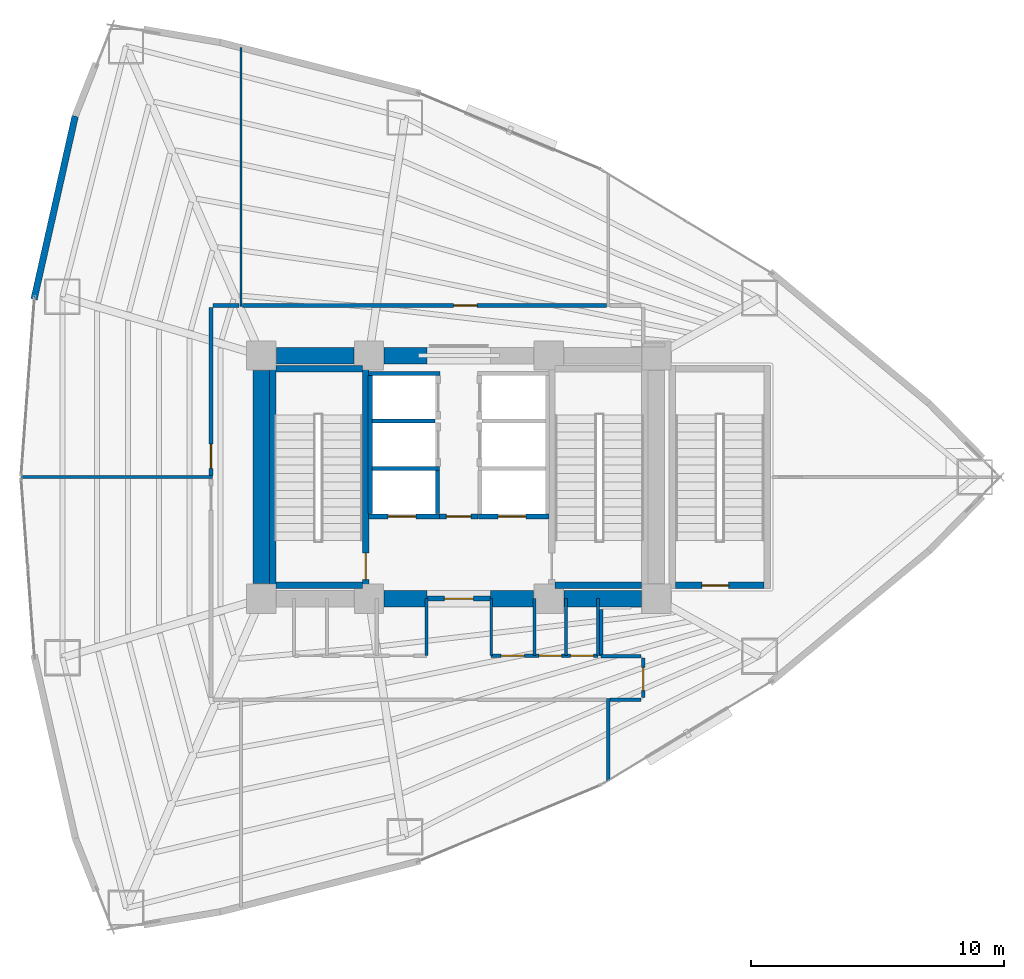
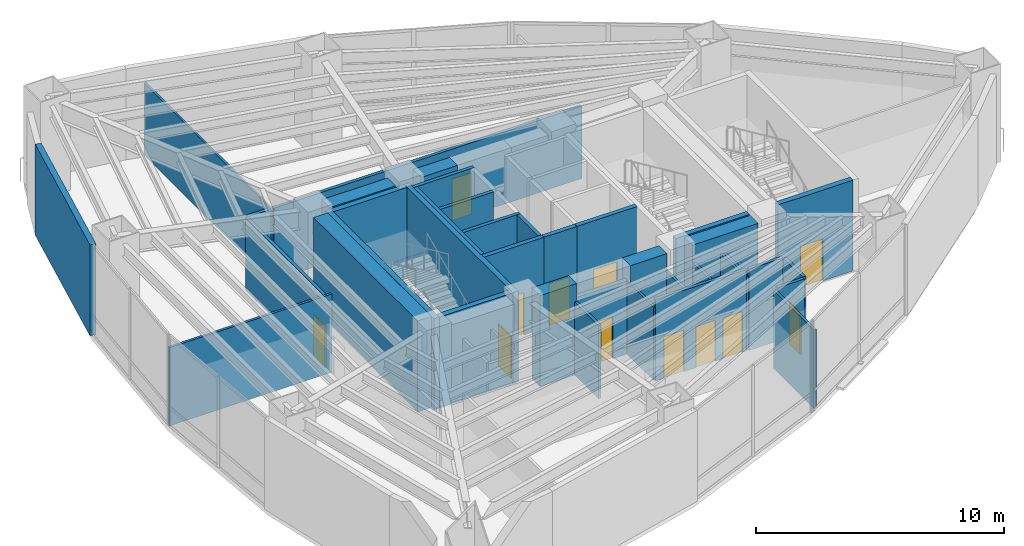
# One storey, part 14 of 18: 38 walls, 12 doors, 12 openings.
"""IFC4 building model written with IfcOpenShell, lengths in metres."""

from ifc_helpers import new_model, si_unit, direction, frame, frame_2d, origin, place, context, subcontext, project, spatial, rectangle, extrude, material, layer, layer_set, type_object, element, fill, save


model = new_model("IFC4")

# Units and contexts
model_context = context("Model", 3, precision=1e-05, world=origin(), true_north=direction((0.0, 1.0)))
body_context = subcontext(model_context, "Body", "Model", "MODEL_VIEW")
ifc_project = project(units=[si_unit("LENGTHUNIT", "METRE"), si_unit("AREAUNIT", "SQUARE_METRE"), si_unit("VOLUMEUNIT", "CUBIC_METRE"), si_unit("PLANEANGLEUNIT", "RADIAN"), si_unit("MASSUNIT", "GRAM", prefix="KILO")], contexts=[model_context])

# Site, building, storey
site_placement = place(None, origin())
site = spatial("IfcSite", under=ifc_project, at=site_placement, CompositionType="ELEMENT")
building_placement = place(site_placement, origin())
building = spatial("IfcBuilding", under=site, at=building_placement, Name="Menara Vayukalpa", CompositionType="ELEMENT")
storey_placement = place(building_placement, frame((0.0, 0.0, 7.199951171875)))
storey = spatial("IfcBuildingStorey", under=building, at=storey_placement, Name="L01", CompositionType="ELEMENT", Elevation=7.199951171875)

# Walls
ifc_material_1 = material(Name="Concrete C80/95", Category="concrete")
ifc_layer_1 = layer(ifc_material_1, 0.64990234375)
ifc_layer_set_1 = layer_set([ifc_layer_1], Name="Concrete C80/95")
wall_type_1 = type_object("IfcWallType", Name="WAL-CW650", PredefinedType="SHEAR", material=ifc_layer_set_1)
wall_1_placement = place(storey_placement, frame((22.64501953125, 17.199951171875, 0.0), z_axis=(0.0, 0.0, 1.0), x_axis=(1.0, 0.0, 0.0)))
element("IfcWall", 1, at=wall_1_placement, inside=storey, type_object=wall_type_1, Name="L01 Buttressed Core Shear Wall CWS2", PredefinedType="SHEAR", context=body_context, shape_type="SweptSolid", body=[
    extrude(rectangle(XDim=1.705078125, YDim=0.64990234375, at=frame_2d((0.8525390625, 0.0))), origin(), (0.0, 0.0, 1.0), 4.47998046875),
])
wall_2_placement = place(storey_placement, frame((26.85009765625, 17.199951171875, 0.0), z_axis=(0.0, 0.0, 1.0), x_axis=(1.0, 0.0, 0.0)))
element("IfcWall", 2, at=wall_2_placement, inside=storey, type_object=wall_type_1, Name="L01 Buttressed Core Shear Wall CWS3", PredefinedType="SHEAR", context=body_context, shape_type="SweptSolid", body=[
    extrude(rectangle(XDim=1.704833984375, YDim=0.64990234375, at=frame_2d((0.8525390625, 0.0))), origin(), (0.0, 0.0, 1.0), 4.47998046875),
])
wall_3_placement = place(storey_placement, frame((29.7451171875, 17.199951171875, 0.0), z_axis=(0.0, 0.0, 1.0), x_axis=(1.0, 0.0, 0.0)))
element("IfcWall", 3, at=wall_3_placement, inside=storey, type_object=wall_type_1, Name="L01 Buttressed Core Shear Wall CWS4", PredefinedType="SHEAR", context=body_context, shape_type="SweptSolid", body=[
    extrude(rectangle(XDim=3.059814453125, YDim=0.64990234375, at=frame_2d((1.52978515625, 0.0))), origin(), (0.0, 0.0, 1.0), 4.47998046875),
])
wall_4_placement = place(storey_placement, frame((18.39501953125, 26.800048828125, 0.0), z_axis=(0.0, 0.0, 1.0), x_axis=(1.0, 0.0, 0.0)))
element("IfcWall", 4, at=wall_4_placement, inside=storey, type_object=wall_type_1, Name="L01 Buttressed Core Shear Wall CWN1", PredefinedType="SHEAR", context=body_context, shape_type="SweptSolid", body=[
    extrude(rectangle(XDim=3.06005859375, YDim=0.64990234375, at=frame_2d((1.530029296875, 0.0))), origin(), (0.0, 0.0, 1.0), 4.47998046875),
])
wall_5_placement = place(storey_placement, frame((22.64501953125, 26.800048828125, 0.0), z_axis=(0.0, 0.0, 1.0), x_axis=(1.0, 0.0, 0.0)))
element("IfcWall", 5, at=wall_5_placement, inside=storey, type_object=wall_type_1, Name="L01 Buttressed Core Shear Wall CWN2", PredefinedType="SHEAR", context=body_context, shape_type="SweptSolid", body=[
    extrude(rectangle(XDim=1.705078125, YDim=0.64990234375, at=frame_2d((0.8525390625, 0.0))), origin(), (0.0, 0.0, 1.0), 4.47998046875),
])
wall_6_placement = place(storey_placement, frame((17.800048828125, 17.794921875, 0.0), z_axis=(0.0, 0.0, 1.0), x_axis=(0.0, 1.0, 0.0)))
element("IfcWall", 6, at=wall_6_placement, inside=storey, type_object=wall_type_1, Name="L01 Buttressed Core Shear Wall CWW1", PredefinedType="SHEAR", context=body_context, shape_type="SweptSolid", body=[
    extrude(rectangle(XDim=8.41015625, YDim=0.64990234375, at=frame_2d((4.205078125, 0.0))), origin(), (0.0, 0.0, 1.0), 4.47998046875),
])
ifc_material_2 = material(Name="Insulated Precast Concrete C40/50", Category="concrete")
ifc_layer_2 = layer(ifc_material_2, 0.260009765625)
ifc_layer_set_2 = layer_set([ifc_layer_2], Name="Insulated Precast Concrete C40/50")
wall_type_2 = type_object("IfcWallType", Name="WAL-EXT260", PredefinedType="PARTITIONING", material=ifc_layer_set_2)
wall_7_placement = place(storey_placement, frame((8.827880859375, 29.021484375, 0.0), z_axis=(0.0, 0.0, 1.0), x_axis=(0.219512195122, 0.975609756098, 0.0)))
element("IfcWall", 7, at=wall_7_placement, inside=storey, type_object=wall_type_2, Name="L01 Perimeter Terracotta Pier Wall 09", PredefinedType="PARTITIONING", context=body_context, shape_type="SweptSolid", body=[
    extrude(rectangle(XDim=7.417236328125, YDim=0.260009765625, at=frame_2d((3.70849609375, 0.0))), origin(), (0.0, 0.0, 1.0), 4.47998046875),
])
ifc_material_3 = material(Name="Lightweight Concrete Blockwork C16/20", Category="masonry")
ifc_layer_3 = layer(ifc_material_3, 0.159912109375)
ifc_layer_set_3 = layer_set([ifc_layer_3], Name="Lightweight Concrete Blockwork C16/20")
wall_type_3 = type_object("IfcWallType", Name="WAL-FR150", PredefinedType="PARTITIONING", material=ifc_layer_set_3)
wall_8_placement = place(storey_placement, frame((22.10498046875, 20.56005859375, 0.0), z_axis=(0.0, 0.0, 1.0), x_axis=(0.0, 1.0, 0.0)))
element("IfcWall", 8, at=wall_8_placement, inside=storey, type_object=wall_type_3, Name="L01 Interior Partition IW-L01-SHW-WW", PredefinedType="PARTITIONING", context=body_context, shape_type="SweptSolid", body=[
    extrude(rectangle(XDim=5.449951171875, YDim=0.159912109375, at=frame_2d((2.72509765625, 0.0))), origin(), (0.0, 0.0, 1.0), 4.47998046875),
])
wall_9_placement = place(storey_placement, frame((24.7548828125, 20.56005859375, 0.0), z_axis=(0.0, 0.0, 1.0), x_axis=(0.0, 1.0, 0.0)))
element("IfcWall", 9, at=wall_9_placement, inside=storey, type_object=wall_type_3, Name="L01 Interior Partition IW-L01-SHW-W1E", PredefinedType="PARTITIONING", context=body_context, shape_type="SweptSolid", body=[
    extrude(rectangle(XDim=1.7099609375, YDim=0.159912109375, at=frame_2d((0.85498046875, 0.0))), origin(), (0.0, 0.0, 1.0), 4.47998046875),
])
wall_10_placement = place(storey_placement, frame((22.179931640625, 22.344970703125, 0.0), z_axis=(0.0, 0.0, 1.0), x_axis=(1.0, 0.0, 0.0)))
element("IfcWall", 10, at=wall_10_placement, inside=storey, type_object=wall_type_3, Name="L01 Interior Partition IW-L01-SHM-W12", PredefinedType="PARTITIONING", context=body_context, shape_type="SweptSolid", body=[
    extrude(rectangle(XDim=2.650146484375, YDim=0.159912109375, at=frame_2d((1.3251953125, 0.0))), origin(), (0.0, 0.0, 1.0), 4.47998046875),
])
wall_11_placement = place(storey_placement, frame((22.179931640625, 24.215087890625, 0.0), z_axis=(0.0, 0.0, 1.0), x_axis=(1.0, 0.0, 0.0)))
element("IfcWall", 11, at=wall_11_placement, inside=storey, type_object=wall_type_3, Name="L01 Interior Partition IW-L01-SHM-W23", PredefinedType="PARTITIONING", context=body_context, shape_type="SweptSolid", body=[
    extrude(rectangle(XDim=2.489990234375, YDim=0.159912109375, at=frame_2d((1.2451171875, 0.0))), origin(), (0.0, 0.0, 1.0), 4.47998046875),
])
wall_12_placement = place(storey_placement, frame((22.030029296875, 26.0849609375, 0.0), z_axis=(0.0, 0.0, 1.0), x_axis=(1.0, 0.0, 0.0)))
element("IfcWall", 12, at=wall_12_placement, inside=storey, type_object=wall_type_3, Name="L01 Interior Partition IW-L01-SHM-W3N", PredefinedType="PARTITIONING", context=body_context, shape_type="SweptSolid", body=[
    extrude(rectangle(XDim=2.830078125, YDim=0.159912109375, at=frame_2d((1.4150390625, 0.0))), origin(), (0.0, 0.0, 1.0), 4.47998046875),
])

# Wall, opening, door
ifc_material_4 = material(Name="Lightweight Concrete Blockwork C16/20", Category="masonry")
ifc_layer_4 = layer(ifc_material_4, 0.199951171875)
ifc_layer_set_4 = layer_set([ifc_layer_4], Name="Lightweight Concrete Blockwork C16/20")
wall_type_4 = type_object("IfcWallType", Name="WAL-FR200", PredefinedType="PARTITIONING", material=ifc_layer_set_4)
wall_13_placement = place(storey_placement, frame((24.35009765625, 17.199951171875, 0.0), z_axis=(0.0, 0.0, 1.0), x_axis=(1.0, 0.0, 0.0)))
wall_13 = element("IfcWall", 13, at=wall_13_placement, inside=storey, type_object=wall_type_4, Name="L01 Interior Partition IW-L01-FFLS", PredefinedType="PARTITIONING", context=body_context, shape_type="SweptSolid", body=[
    extrude(rectangle(XDim=2.5, YDim=0.199951171875, at=frame_2d((1.25, 0.0))), origin(), (0.0, 0.0, 1.0), 3.610107421875),
])
opening_1_placement = place(wall_13_placement, frame((0.679931640625, 0.0, 0.0)))
opening_1 = element("IfcOpeningElement", 14, at=opening_1_placement, cuts=wall_13, Name="Opening ID2", PredefinedType="OPENING", context=body_context, shape_type="SweptSolid", body=[
    extrude(rectangle(XDim=1.14990234375, YDim=2.080078125, at=frame_2d((0.574951171875, 1.0400390625))), frame((0.0, 0.10986328125, 0.0), z_axis=(0.0, -1.0, 0.0), x_axis=(1.0, 0.0, 0.0)), (0.0, 0.0, 1.0), 0.219970703125),
])
ifc_material_5 = material(Name="Fire-Rated Powder-Coated Steel Door", Category="steel")
door_type_1 = type_object("IfcDoorType", Name="DR-FD60W", OperationType="NOTDEFINED", PredefinedType="DOOR", material=ifc_material_5)
door_1_placement = place(opening_1_placement, origin())
door_1 = element("IfcDoor", 15, at=door_1_placement, inside=storey, type_object=door_type_1, Name="L01 Interior Door DR-L01-FFLS", OperationType="SINGLE_SWING_RIGHT", OverallHeight=2.080078125, OverallWidth=1.14990234375, PredefinedType="DOOR", context=body_context, shape_type="SweptSolid", body=[
    extrude(rectangle(XDim=1.14990234375, YDim=2.080078125, at=frame_2d((0.574951171875, 1.0400390625))), frame((0.0, 0.02490234375, 0.0), z_axis=(0.0, -1.0, 0.0), x_axis=(1.0, 0.0, 0.0)), (0.0, 0.0, 1.0), 0.050048828125),
])
fill(opening_1, door_1)

wall_14_placement = place(storey_placement, frame((24.840087890625, 20.449951171875, 0.0), z_axis=(0.0, 0.0, 1.0), x_axis=(1.0, 0.0, 0.0)))
wall_14 = element("IfcWall", 16, at=wall_14_placement, inside=storey, type_object=wall_type_4, Name="L01 Interior Partition IW-L01-FFLN", PredefinedType="PARTITIONING", context=body_context, shape_type="SweptSolid", body=[
    extrude(rectangle(XDim=1.52001953125, YDim=0.199951171875, at=frame_2d((0.760009765625, 0.0))), origin(), (0.0, 0.0, 1.0), 4.47998046875),
])
opening_2_placement = place(wall_14_placement, frame((0.27001953125, 0.0, 0.0)))
opening_2 = element("IfcOpeningElement", 17, at=opening_2_placement, cuts=wall_14, Name="Opening ID3", PredefinedType="OPENING", context=body_context, shape_type="SweptSolid", body=[
    extrude(rectangle(XDim=0.97998046875, YDim=2.06005859375, at=frame_2d((0.489990234375, 1.030029296875))), frame((0.0, 0.10986328125, 0.0), z_axis=(0.0, -1.0, 0.0), x_axis=(1.0, 0.0, 0.0)), (0.0, 0.0, 1.0), 0.219970703125),
])
ifc_material_6 = material(Name="Fire-Rated Powder-Coated Steel Door", Category="steel")
door_type_2 = type_object("IfcDoorType", Name="DR-FD60", OperationType="NOTDEFINED", PredefinedType="DOOR", material=ifc_material_6)
door_2_placement = place(opening_2_placement, origin())
door_2 = element("IfcDoor", 18, at=door_2_placement, inside=storey, type_object=door_type_2, Name="L01 Interior Door DR-L01-FFLN", OperationType="SINGLE_SWING_LEFT", OverallHeight=2.06005859375, OverallWidth=0.97998046875, PredefinedType="DOOR", context=body_context, shape_type="SweptSolid", body=[
    extrude(rectangle(XDim=0.97998046875, YDim=2.06005859375, at=frame_2d((0.489990234375, 1.030029296875))), frame((0.0, 0.02490234375, 0.0), z_axis=(0.0, -1.0, 0.0), x_axis=(1.0, 0.0, 0.0)), (0.0, 0.0, 1.0), 0.050048828125),
])
fill(opening_2, door_2)

wall_15_placement = place(storey_placement, frame((22.030029296875, 20.449951171875, 0.0), z_axis=(0.0, 0.0, 1.0), x_axis=(1.0, 0.0, 0.0)))
wall_15 = element("IfcWall", 19, at=wall_15_placement, inside=storey, type_object=wall_type_4, Name="L01 Interior Partition IW-L01-SH-W1", PredefinedType="PARTITIONING", context=body_context, shape_type="SweptSolid", body=[
    extrude(rectangle(XDim=2.800048828125, YDim=0.199951171875, at=frame_2d((1.39990234375, 0.0))), origin(), (0.0, 0.0, 1.0), 4.47998046875),
])
opening_3_placement = place(wall_15_placement, frame((0.780029296875, 0.0, 0.0)))
opening_3 = element("IfcOpeningElement", 20, at=opening_3_placement, cuts=wall_15, Name="Opening LD1", PredefinedType="OPENING", context=body_context, shape_type="SweptSolid", body=[
    extrude(rectangle(XDim=1.10009765625, YDim=2.080078125, at=frame_2d((0.550048828125, 1.0400390625))), frame((0.0, 0.10986328125, 0.0), z_axis=(0.0, -1.0, 0.0), x_axis=(1.0, 0.0, 0.0)), (0.0, 0.0, 1.0), 0.219970703125),
])
ifc_material_7 = material(Name="Brushed Stainless Steel 316 Lift Door", Category="steel")
door_type_3 = type_object("IfcDoorType", Name="DR-LD110", OperationType="NOTDEFINED", PredefinedType="DOOR", material=ifc_material_7)
door_3_placement = place(opening_3_placement, origin())
door_3 = element("IfcDoor", 21, at=door_3_placement, inside=storey, type_object=door_type_3, Name="L01 Interior Door DR-L01-LD-W1", OperationType="DOUBLE_DOOR_SLIDING", OverallHeight=2.080078125, OverallWidth=1.10009765625, PredefinedType="DOOR", context=body_context, shape_type="SweptSolid", body=[
    extrude(rectangle(XDim=1.10009765625, YDim=2.080078125, at=frame_2d((0.550048828125, 1.0400390625))), frame((0.0, 0.02490234375, 0.0), z_axis=(0.0, -1.0, 0.0), x_axis=(1.0, 0.0, 0.0)), (0.0, 0.0, 1.0), 0.050048828125),
])
fill(opening_3, door_3)

wall_16_placement = place(storey_placement, frame((26.3701171875, 20.449951171875, 0.0), z_axis=(0.0, 0.0, 1.0), x_axis=(1.0, 0.0, 0.0)))
wall_16 = element("IfcWall", 22, at=wall_16_placement, inside=storey, type_object=wall_type_4, Name="L01 Interior Partition IW-L01-SH-E1", PredefinedType="PARTITIONING", context=body_context, shape_type="SweptSolid", body=[
    extrude(rectangle(XDim=2.7998046875, YDim=0.199951171875, at=frame_2d((1.39990234375, 0.0))), origin(), (0.0, 0.0, 1.0), 4.47998046875),
])
opening_4_placement = place(wall_16_placement, frame((0.780029296875, 0.0, 0.0)))
opening_4 = element("IfcOpeningElement", 23, at=opening_4_placement, cuts=wall_16, Name="Opening LD1", PredefinedType="OPENING", context=body_context, shape_type="SweptSolid", body=[
    extrude(rectangle(XDim=1.10009765625, YDim=2.080078125, at=frame_2d((0.550048828125, 1.0400390625))), frame((0.0, 0.10986328125, 0.0), z_axis=(0.0, -1.0, 0.0), x_axis=(1.0, 0.0, 0.0)), (0.0, 0.0, 1.0), 0.219970703125),
])
door_4_placement = place(opening_4_placement, origin())
door_4 = element("IfcDoor", 24, at=door_4_placement, inside=storey, type_object=door_type_3, Name="L01 Interior Door DR-L01-LD-E1", OperationType="DOUBLE_DOOR_SLIDING", OverallHeight=2.080078125, OverallWidth=1.10009765625, PredefinedType="DOOR", context=body_context, shape_type="SweptSolid", body=[
    extrude(rectangle(XDim=1.10009765625, YDim=2.080078125, at=frame_2d((0.550048828125, 1.0400390625))), frame((0.0, 0.02490234375, 0.0), z_axis=(0.0, -1.0, 0.0), x_axis=(1.0, 0.0, 0.0)), (0.0, 0.0, 1.0), 0.050048828125),
])
fill(opening_4, door_4)

# Walls
ifc_material_8 = material(Name="Glazed Demountable Office Partition", Category="glass")
ifc_layer_5 = layer(ifc_material_8, 0.094970703125)
ifc_layer_set_5 = layer_set([ifc_layer_5], Name="Glazed Demountable Office Partition")
wall_type_5 = type_object("IfcWallType", Name="WAL-PT100", PredefinedType="PARTITIONING", material=ifc_layer_set_5)
wall_17_placement = place(storey_placement, frame((17.0, 28.72998046875, 0.0), z_axis=(0.0, 0.0, 1.0), x_axis=(0.0, 1.0, 0.0)))
element("IfcWall", 25, at=wall_17_placement, inside=storey, type_object=wall_type_5, Name="L01 Interior Partition IW-L01-RDIV02", PredefinedType="PARTITIONING", context=body_context, shape_type="SweptSolid", body=[
    extrude(rectangle(XDim=10.2392578125, YDim=0.094970703125, at=frame_2d((5.11962890625, 0.0))), origin(), (0.0, 0.0, 1.0), 3.56005859375),
])
ifc_material_9 = material(Name="Acoustic Mineral Stud Partition", Category="masonry")
ifc_layer_6 = layer(ifc_material_9, 0.110107421875)
ifc_layer_set_6 = layer_set([ifc_layer_6], Name="Acoustic Mineral Stud Partition")
wall_type_6 = type_object("IfcWallType", Name="WAL-PT110", PredefinedType="PARTITIONING", material=ifc_layer_set_6)
for number, where, z_axis, x_axis, name in (
    (26, (26.8798828125, 14.949951171875, 0.0), (0.0, 0.0, 1.0), (0.0, 1.0, 0.0), "L01 Interior Partition IW-L01-SVCD-05"),
    (27, (31.10009765625, 14.949951171875, 0.0), (0.0, 0.0, 1.0), (0.0, 1.0, 0.0), "L01 Interior Partition IW-L01-SVCD-08"),
):
    element("IfcWall", number, at=place(storey_placement, frame(where, z_axis=z_axis, x_axis=x_axis)), inside=storey, type_object=wall_type_6, Name=name, PredefinedType="PARTITIONING", context=body_context, shape_type="SweptSolid", body=[
        extrude(rectangle(XDim=2.25, YDim=0.110107421875, at=frame_2d((1.125, 0.0))), origin(), (0.0, 0.0, 1.0), 3.610107421875),
    ])
wall_18_placement = place(storey_placement, frame((8.307373046875, 22.0, 0.0), z_axis=(0.0, 0.0, 1.0), x_axis=(1.0, 0.0, 0.0)))
element("IfcWall", 28, at=wall_18_placement, inside=storey, type_object=wall_type_6, Name="L01 Interior Partition IW-L01-RDIV05", PredefinedType="PARTITIONING", context=body_context, shape_type="SweptSolid", body=[
    extrude(rectangle(XDim=7.562744140625, YDim=0.110107421875, at=frame_2d((3.78125, 0.0))), origin(), (0.0, 0.0, 1.0), 3.860107421875),
])
ifc_material_10 = material(Name="Gypsum Drywall Steel Stud Assembly", Category="steel")
ifc_layer_7 = layer(ifc_material_10, 0.125)
ifc_layer_set_7 = layer_set([ifc_layer_7], Name="Gypsum Drywall Steel Stud Assembly")
wall_type_7 = type_object("IfcWallType", Name="WAL-PT125", PredefinedType="PARTITIONING", material=ifc_layer_set_7)
for number, where, z_axis, x_axis, name in (
    (29, (24.320068359375, 14.949951171875, 0.0), (0.0, 0.0, 1.0), (0.0, 1.0, 0.0), "L01 Interior Partition IW-L01-SVCD-04"),
    (30, (28.590087890625, 14.949951171875, 0.0), (0.0, 0.0, 1.0), (0.0, 1.0, 0.0), "L01 Interior Partition IW-L01-SVCD-06"),
    (31, (29.830078125, 14.949951171875, 0.0), (0.0, 0.0, 1.0), (0.0, 1.0, 0.0), "L01 Interior Partition IW-L01-SVCD-07"),
):
    element("IfcWall", number, at=place(storey_placement, frame(where, z_axis=z_axis, x_axis=x_axis)), inside=storey, type_object=wall_type_7, Name=name, PredefinedType="PARTITIONING", context=body_context, shape_type="SweptSolid", body=[
        extrude(rectangle(XDim=2.25, YDim=0.125, at=frame_2d((1.125, 0.0))), origin(), (0.0, 0.0, 1.0), 3.610107421875),
    ])
wall_19_placement = place(storey_placement, frame((31.5, 10.0048828125, 0.0), z_axis=(0.0, 0.0, 1.0), x_axis=(0.0, 1.0, 0.0)))
element("IfcWall", 32, at=wall_19_placement, inside=storey, type_object=wall_type_7, Name="L01 Interior Partition IW-L01-RDIV03", PredefinedType="PARTITIONING", context=body_context, shape_type="SweptSolid", body=[
    extrude(rectangle(XDim=3.255126953125, YDim=0.125, at=frame_2d((1.62744140625, 0.0))), origin(), (0.0, 0.0, 1.0), 3.860107421875),
])

# Wall, openings, doors
ifc_material_11 = material(Name="Gypsum Drywall Acoustic Stud Assembly", Category="masonry")
ifc_layer_8 = layer(ifc_material_11, 0.14501953125)
ifc_layer_set_8 = layer_set([ifc_layer_8], Name="Gypsum Drywall Acoustic Stud Assembly")
wall_type_8 = type_object("IfcWallType", Name="WAL-PT150", PredefinedType="PARTITIONING", material=ifc_layer_set_8)
wall_20_placement = place(storey_placement, frame((26.8798828125, 14.949951171875, 0.0), z_axis=(0.0, 0.0, 1.0), x_axis=(1.0, 0.0, 0.0)))
wall_20 = element("IfcWall", 33, at=wall_20_placement, inside=storey, type_object=wall_type_8, Name="L01 Interior Partition IW-L01-SVCS-E", PredefinedType="PARTITIONING", context=body_context, shape_type="SweptSolid", body=[
    extrude(rectangle(XDim=4.22021484375, YDim=0.14501953125, at=frame_2d((2.110107421875, 0.0))), origin(), (0.0, 0.0, 1.0), 4.010009765625),
])
opening_5_placement = place(wall_20_placement, frame((0.389892578125, 0.0, 0.0)))
opening_5 = element("IfcOpeningElement", 34, at=opening_5_placement, cuts=wall_20, Name="Opening ID6", PredefinedType="OPENING", context=body_context, shape_type="SweptSolid", body=[
    extrude(rectangle(XDim=0.919921875, YDim=2.050048828125, at=frame_2d((0.4599609375, 1.02490234375))), frame((0.0, 0.08251953125, 0.0), z_axis=(0.0, -1.0, 0.0), x_axis=(1.0, 0.0, 0.0)), (0.0, 0.0, 1.0), 0.1650390625),
])
opening_6_placement = place(wall_20_placement, frame((1.8798828125, 0.0, 0.0)))
opening_6 = element("IfcOpeningElement", 35, at=opening_6_placement, cuts=wall_20, Name="Opening ID7", PredefinedType="OPENING", context=body_context, shape_type="SweptSolid", body=[
    extrude(rectangle(XDim=0.89990234375, YDim=2.02001953125, at=frame_2d((0.449951171875, 1.010009765625))), frame((0.0, 0.08251953125, 0.0), z_axis=(0.0, -1.0, 0.0), x_axis=(1.0, 0.0, 0.0)), (0.0, 0.0, 1.0), 0.1650390625),
])
opening_7_placement = place(wall_20_placement, frame((3.139892578125, 0.0, 0.0)))
opening_7 = element("IfcOpeningElement", 36, at=opening_7_placement, cuts=wall_20, Name="Opening ID7", PredefinedType="OPENING", context=body_context, shape_type="SweptSolid", body=[
    extrude(rectangle(XDim=0.89990234375, YDim=2.02001953125, at=frame_2d((0.449951171875, 1.010009765625))), frame((0.0, 0.08251953125, 0.0), z_axis=(0.0, -1.0, 0.0), x_axis=(1.0, 0.0, 0.0)), (0.0, 0.0, 1.0), 0.1650390625),
])
ifc_material_12 = material(Name="Acoustic Hardwood Veneer Timber Door", Category="wood")
door_type_4 = type_object("IfcDoorType", Name="DR-INT92", OperationType="NOTDEFINED", PredefinedType="DOOR", material=ifc_material_12)
door_5_placement = place(opening_5_placement, origin())
door_5 = element("IfcDoor", 37, at=door_5_placement, inside=storey, type_object=door_type_4, Name="L01 Interior Door DR-L01-KSV1", OperationType="SINGLE_SWING_LEFT", OverallHeight=2.050048828125, OverallWidth=0.919921875, PredefinedType="DOOR", context=body_context, shape_type="SweptSolid", body=[
    extrude(rectangle(XDim=0.919921875, YDim=2.050048828125, at=frame_2d((0.4599609375, 1.02490234375))), frame((0.0, 0.02490234375, 0.0), z_axis=(0.0, -1.0, 0.0), x_axis=(1.0, 0.0, 0.0)), (0.0, 0.0, 1.0), 0.050048828125),
])
fill(opening_5, door_5)
ifc_material_13 = material(Name="Powder-Coated Steel Riser Access Door", Category="steel")
door_type_5 = type_object("IfcDoorType", Name="DR-RISER", OperationType="NOTDEFINED", PredefinedType="DOOR", material=ifc_material_13)
door_6_placement = place(opening_6_placement, origin())
door_6 = element("IfcDoor", 38, at=door_6_placement, inside=storey, type_object=door_type_5, Name="L01 Interior Door DR-L01-KSV2", OperationType="SINGLE_SWING_RIGHT", OverallHeight=2.02001953125, OverallWidth=0.89990234375, PredefinedType="DOOR", context=body_context, shape_type="SweptSolid", body=[
    extrude(rectangle(XDim=0.89990234375, YDim=2.02001953125, at=frame_2d((0.449951171875, 1.010009765625))), frame((0.0, 0.02490234375, 0.0), z_axis=(0.0, -1.0, 0.0), x_axis=(1.0, 0.0, 0.0)), (0.0, 0.0, 1.0), 0.050048828125),
])
fill(opening_6, door_6)
door_7_placement = place(opening_7_placement, origin())
door_7 = element("IfcDoor", 39, at=door_7_placement, inside=storey, type_object=door_type_5, Name="L01 Interior Door DR-L01-SMD", OperationType="SINGLE_SWING_LEFT", OverallHeight=2.02001953125, OverallWidth=0.89990234375, PredefinedType="DOOR", context=body_context, shape_type="SweptSolid", body=[
    extrude(rectangle(XDim=0.89990234375, YDim=2.02001953125, at=frame_2d((0.449951171875, 1.010009765625))), frame((0.0, 0.02490234375, 0.0), z_axis=(0.0, -1.0, 0.0), x_axis=(1.0, 0.0, 0.0)), (0.0, 0.0, 1.0), 0.050048828125),
])
fill(opening_7, door_7)

# Wall
wall_21_placement = place(storey_placement, frame((31.570068359375, 13.2099609375, 0.0), z_axis=(0.0, 0.0, 1.0), x_axis=(1.0, 0.0, 0.0)))
element("IfcWall", 40, at=wall_21_placement, inside=storey, type_object=wall_type_8, Name="L01 Interior Partition IW-L01-CRM04-1", PredefinedType="PARTITIONING", context=body_context, shape_type="SweptSolid", body=[
    extrude(rectangle(XDim=1.22998046875, YDim=0.14501953125, at=frame_2d((0.614990234375, 0.0))), origin(), (0.0, 0.0, 1.0), 4.010009765625),
])

# Wall, opening, door
wall_22_placement = place(storey_placement, frame((32.8798828125, 13.2900390625, 0.0), z_axis=(0.0, 0.0, 1.0), x_axis=(0.0, 1.0, 0.0)))
wall_22 = element("IfcWall", 41, at=wall_22_placement, inside=storey, type_object=wall_type_8, Name="L01 Interior Partition IW-L01-CRM04-2", PredefinedType="PARTITIONING", context=body_context, shape_type="SweptSolid", body=[
    extrude(rectangle(XDim=1.56005859375, YDim=0.14501953125, at=frame_2d((0.780029296875, 0.0))), origin(), (0.0, 0.0, 1.0), 4.010009765625),
])
opening_8_placement = place(wall_22_placement, frame((0.280029296875, 0.0, 0.0)))
opening_8 = element("IfcOpeningElement", 42, at=opening_8_placement, cuts=wall_22, Name="Opening ID6", PredefinedType="OPENING", context=body_context, shape_type="SweptSolid", body=[
    extrude(rectangle(XDim=0.919921875, YDim=2.050048828125, at=frame_2d((0.4599609375, 1.02490234375))), frame((0.0, 0.08251953125, 0.0), z_axis=(0.0, -1.0, 0.0), x_axis=(1.0, 0.0, 0.0)), (0.0, 0.0, 1.0), 0.1650390625),
])
door_8_placement = place(opening_8_placement, origin())
door_8 = element("IfcDoor", 43, at=door_8_placement, inside=storey, type_object=door_type_4, Name="L01 Interior Door DR-L01-RM04", OperationType="SINGLE_SWING_RIGHT", OverallHeight=2.050048828125, OverallWidth=0.919921875, PredefinedType="DOOR", context=body_context, shape_type="SweptSolid", body=[
    extrude(rectangle(XDim=0.919921875, YDim=2.050048828125, at=frame_2d((0.4599609375, 1.02490234375))), frame((0.0, 0.02490234375, 0.0), z_axis=(0.0, -1.0, 0.0), x_axis=(1.0, 0.0, 0.0)), (0.0, 0.0, 1.0), 0.050048828125),
])
fill(opening_8, door_8)

# Walls
wall_23_placement = place(storey_placement, frame((32.800048828125, 14.929931640625, 0.0), z_axis=(0.0, 0.0, 1.0), x_axis=(-1.0, 0.0, 0.0)))
element("IfcWall", 44, at=wall_23_placement, inside=storey, type_object=wall_type_8, Name="L01 Interior Partition IW-L01-CRM04-3", PredefinedType="PARTITIONING", context=body_context, shape_type="SweptSolid", body=[
    extrude(rectangle(XDim=1.580078125, YDim=0.14501953125, at=frame_2d((0.7900390625, 0.0))), origin(), (0.0, 0.0, 1.0), 4.010009765625),
])
wall_24_placement = place(storey_placement, frame((31.219970703125, 14.929931640625, 0.0), z_axis=(0.0, 0.0, 1.0), x_axis=(0.0, 1.0, 0.0)))
element("IfcWall", 45, at=wall_24_placement, inside=storey, type_object=wall_type_8, Name="L01 Interior Partition IW-L01-CRM04-4", PredefinedType="PARTITIONING", context=body_context, shape_type="SweptSolid", body=[
    extrude(rectangle(XDim=1.85009765625, YDim=0.14501953125, at=frame_2d((0.925048828125, 0.0))), origin(), (0.0, 0.0, 1.0), 3.610107421875),
])

# Wall, opening, door
wall_25_placement = place(storey_placement, frame((31.429931640625, 28.780029296875, 0.0), z_axis=(0.0, 0.0, 1.0), x_axis=(-1.0, 0.0, 0.0)))
wall_25 = element("IfcWall", 46, at=wall_25_placement, inside=storey, type_object=wall_type_8, Name="L01 Interior Partition IW-L01-CRM06-1", PredefinedType="PARTITIONING", context=body_context, shape_type="SweptSolid", body=[
    extrude(rectangle(XDim=14.35986328125, YDim=0.14501953125, at=frame_2d((7.179931640625, 0.0))), origin(), (0.0, 0.0, 1.0), 3.56005859375),
])
opening_9_placement = place(wall_25_placement, frame((5.110107421875, 0.0, 0.0)))
opening_9 = element("IfcOpeningElement", 47, at=opening_9_placement, cuts=wall_25, Name="Opening ID6", PredefinedType="OPENING", context=body_context, shape_type="SweptSolid", body=[
    extrude(rectangle(XDim=0.919921875, YDim=2.050048828125, at=frame_2d((0.4599609375, 1.02490234375))), frame((0.0, 0.08251953125, 0.0), z_axis=(0.0, -1.0, 0.0), x_axis=(1.0, 0.0, 0.0)), (0.0, 0.0, 1.0), 0.1650390625),
])
door_9_placement = place(opening_9_placement, origin())
door_9 = element("IfcDoor", 48, at=door_9_placement, inside=storey, type_object=door_type_4, Name="L01 Interior Door DR-L01-RM06", OperationType="SINGLE_SWING_LEFT", OverallHeight=2.050048828125, OverallWidth=0.919921875, PredefinedType="DOOR", context=body_context, shape_type="SweptSolid", body=[
    extrude(rectangle(XDim=0.919921875, YDim=2.050048828125, at=frame_2d((0.4599609375, 1.02490234375))), frame((0.0, 0.02490234375, 0.0), z_axis=(0.0, -1.0, 0.0), x_axis=(1.0, 0.0, 0.0)), (0.0, 0.0, 1.0), 0.050048828125),
])
fill(opening_9, door_9)

# Wall
wall_26_placement = place(storey_placement, frame((16.929931640625, 28.780029296875, 0.0), z_axis=(0.0, 0.0, 1.0), x_axis=(-1.0, 0.0, 0.0)))
element("IfcWall", 49, at=wall_26_placement, inside=storey, type_object=wall_type_8, Name="L01 Interior Partition IW-L01-CRM07-1", PredefinedType="PARTITIONING", context=body_context, shape_type="SweptSolid", body=[
    extrude(rectangle(XDim=1.030029296875, YDim=0.14501953125, at=frame_2d((0.51513671875, 0.0))), origin(), (0.0, 0.0, 1.0), 3.56005859375),
])

# Wall, opening, door
wall_27_placement = place(storey_placement, frame((15.820068359375, 28.699951171875, 0.0), z_axis=(0.0, 0.0, 1.0), x_axis=(0.0, -1.0, 0.0)))
wall_27 = element("IfcWall", 50, at=wall_27_placement, inside=storey, type_object=wall_type_8, Name="L01 Interior Partition IW-L01-CRM07-2", PredefinedType="PARTITIONING", context=body_context, shape_type="SweptSolid", body=[
    extrude(rectangle(XDim=6.6298828125, YDim=0.14501953125, at=frame_2d((3.31494140625, 0.0))), origin(), (0.0, 0.0, 1.0), 3.56005859375),
])
opening_10_placement = place(wall_27_placement, frame((5.39990234375, 0.0, 0.0)))
opening_10 = element("IfcOpeningElement", 51, at=opening_10_placement, cuts=wall_27, Name="Opening ID5", PredefinedType="OPENING", context=body_context, shape_type="SweptSolid", body=[
    extrude(rectangle(XDim=0.949951171875, YDim=2.06005859375, at=frame_2d((0.47509765625, 1.030029296875))), frame((0.0, 0.08251953125, 0.0), z_axis=(0.0, -1.0, 0.0), x_axis=(1.0, 0.0, 0.0)), (0.0, 0.0, 1.0), 0.1650390625),
])
ifc_material_14 = material(Name="Acoustic Hardwood Veneer Timber Door", Category="wood")
door_type_6 = type_object("IfcDoorType", Name="DR-INT95", OperationType="NOTDEFINED", PredefinedType="DOOR", material=ifc_material_14)
door_10_placement = place(opening_10_placement, origin())
door_10 = element("IfcDoor", 52, at=door_10_placement, inside=storey, type_object=door_type_6, Name="L01 Interior Door DR-L01-RM07", OperationType="SINGLE_SWING_RIGHT", OverallHeight=2.06005859375, OverallWidth=0.949951171875, PredefinedType="DOOR", context=body_context, shape_type="SweptSolid", body=[
    extrude(rectangle(XDim=0.949951171875, YDim=2.06005859375, at=frame_2d((0.47509765625, 1.030029296875))), frame((0.0, 0.02490234375, 0.0), z_axis=(0.0, -1.0, 0.0), x_axis=(1.0, 0.0, 0.0)), (0.0, 0.0, 1.0), 0.050048828125),
])
fill(opening_10, door_10)

# Wall
ifc_material_15 = material(Name="Concrete C50/60", Category="concrete")
ifc_layer_9 = layer(ifc_material_15, 0.25)
ifc_layer_set_9 = layer_set([ifc_layer_9], Name="Concrete C50/60")
wall_type_9 = type_object("IfcWallType", Name="WAL-SW250", PredefinedType="SHEAR", material=ifc_layer_set_9)
wall_28_placement = place(storey_placement, frame((18.25390625, 17.60009765625, 0.0), z_axis=(0.0, 0.0, 1.0), x_axis=(0.0, 1.0, 0.0)))
element("IfcWall", 53, at=wall_28_placement, inside=storey, type_object=wall_type_9, Name="L01 ST1 Structural Stair Shaft Wall W", PredefinedType="SHEAR", context=body_context, shape_type="SweptSolid", body=[
    extrude(rectangle(XDim=8.7998046875, YDim=0.25, at=frame_2d((4.39990234375, 0.0))), origin(), (0.0, 0.0, 1.0), 4.47998046875),
])

# Wall, opening, door
wall_29_placement = place(storey_placement, frame((21.925048828125, 17.60009765625, 0.0), z_axis=(0.0, 0.0, 1.0), x_axis=(0.0, 1.0, 0.0)))
wall_29 = element("IfcWall", 54, at=wall_29_placement, inside=storey, type_object=wall_type_9, Name="L01 ST1 Structural Stair Shaft Wall E", PredefinedType="SHEAR", context=body_context, shape_type="SweptSolid", body=[
    extrude(rectangle(XDim=8.7998046875, YDim=0.25, at=frame_2d((4.39990234375, 0.0))), origin(), (0.0, 0.0, 1.0), 4.47998046875),
])
opening_11_placement = place(wall_29_placement, frame((0.35009765625, 0.0, 0.0)))
opening_11 = element("IfcOpeningElement", 55, at=opening_11_placement, cuts=wall_29, Name="Opening ID1", PredefinedType="OPENING", context=body_context, shape_type="SweptSolid", body=[
    extrude(rectangle(XDim=1.050048828125, YDim=2.080078125, at=frame_2d((0.52490234375, 1.0400390625))), frame((0.0, 0.135009765625, 0.0), z_axis=(0.0, -1.0, 0.0), x_axis=(1.0, 0.0, 0.0)), (0.0, 0.0, 1.0), 0.27001953125),
])
ifc_material_16 = material(Name="Fire-Rated Powder-Coated Steel Door", Category="steel")
door_type_7 = type_object("IfcDoorType", Name="DR-FD120", OperationType="NOTDEFINED", PredefinedType="DOOR", material=ifc_material_16)
door_11_placement = place(opening_11_placement, origin())
door_11 = element("IfcDoor", 56, at=door_11_placement, inside=storey, type_object=door_type_7, Name="L01 Stair Exit Door DR-L01-ST1", OperationType="SINGLE_SWING_LEFT", OverallHeight=2.080078125, OverallWidth=1.050048828125, PredefinedType="DOOR", context=body_context, shape_type="SweptSolid", body=[
    extrude(rectangle(XDim=1.050048828125, YDim=2.080078125, at=frame_2d((0.52490234375, 1.0400390625))), frame((0.0, 0.02490234375, 0.0), z_axis=(0.0, -1.0, 0.0), x_axis=(1.0, 0.0, 0.0)), (0.0, 0.0, 1.0), 0.050048828125),
])
fill(opening_11, door_11)

# Walls
for number, where, z_axis, x_axis, name in (
    (57, (18.37890625, 17.72509765625, 0.0), (0.0, 0.0, 1.0), (1.0, 0.0, 0.0), "L01 ST1 Structural Stair Shaft Wall S"),
    (58, (18.37890625, 26.27490234375, 0.0), (0.0, 0.0, 1.0), (1.0, 0.0, 0.0), "L01 ST1 Structural Stair Shaft Wall N"),
    (59, (29.39990234375, 17.72509765625, 0.0), (0.0, 0.0, 1.0), (1.0, 0.0, 0.0), "L01 ST2 Structural Stair Shaft Wall S"),
):
    element("IfcWall", number, at=place(storey_placement, frame(where, z_axis=z_axis, x_axis=x_axis)), inside=storey, type_object=wall_type_9, Name=name, PredefinedType="SHEAR", context=body_context, shape_type="SweptSolid", body=[
        extrude(rectangle(XDim=3.421142578125, YDim=0.25, at=frame_2d((1.71044921875, 0.0))), origin(), (0.0, 0.0, 1.0), 4.47998046875),
    ])

# Wall, opening, door
wall_30_placement = place(storey_placement, frame((34.14990234375, 17.72509765625, 0.0), z_axis=(0.0, 0.0, 1.0), x_axis=(1.0, 0.0, 0.0)))
wall_30 = element("IfcWall", 60, at=wall_30_placement, inside=storey, type_object=wall_type_9, Name="L01 ST3 Structural Stair Shaft Wall S", PredefinedType="SHEAR", context=body_context, shape_type="SweptSolid", body=[
    extrude(rectangle(XDim=3.5, YDim=0.25, at=frame_2d((1.75, 0.0))), origin(), (0.0, 0.0, 1.0), 4.47998046875),
])
opening_12_placement = place(wall_30_placement, frame((1.050048828125, 0.0, 0.0)))
opening_12 = element("IfcOpeningElement", 61, at=opening_12_placement, cuts=wall_30, Name="Opening ID1", PredefinedType="OPENING", context=body_context, shape_type="SweptSolid", body=[
    extrude(rectangle(XDim=1.050048828125, YDim=2.080078125, at=frame_2d((0.52490234375, 1.0400390625))), frame((0.0, 0.135009765625, 0.0), z_axis=(0.0, -1.0, 0.0), x_axis=(1.0, 0.0, 0.0)), (0.0, 0.0, 1.0), 0.27001953125),
])
door_12_placement = place(opening_12_placement, origin())
door_12 = element("IfcDoor", 62, at=door_12_placement, inside=storey, type_object=door_type_7, Name="L01 Stair Exit Door DR-L01-ST3", OperationType="SINGLE_SWING_RIGHT", OverallHeight=2.080078125, OverallWidth=1.050048828125, PredefinedType="DOOR", context=body_context, shape_type="SweptSolid", body=[
    extrude(rectangle(XDim=1.050048828125, YDim=2.080078125, at=frame_2d((0.52490234375, 1.0400390625))), frame((0.0, 0.02490234375, 0.0), z_axis=(0.0, -1.0, 0.0), x_axis=(1.0, 0.0, 0.0)), (0.0, 0.0, 1.0), 0.050048828125),
])
fill(opening_12, door_12)

save(model, "model.ifc")
